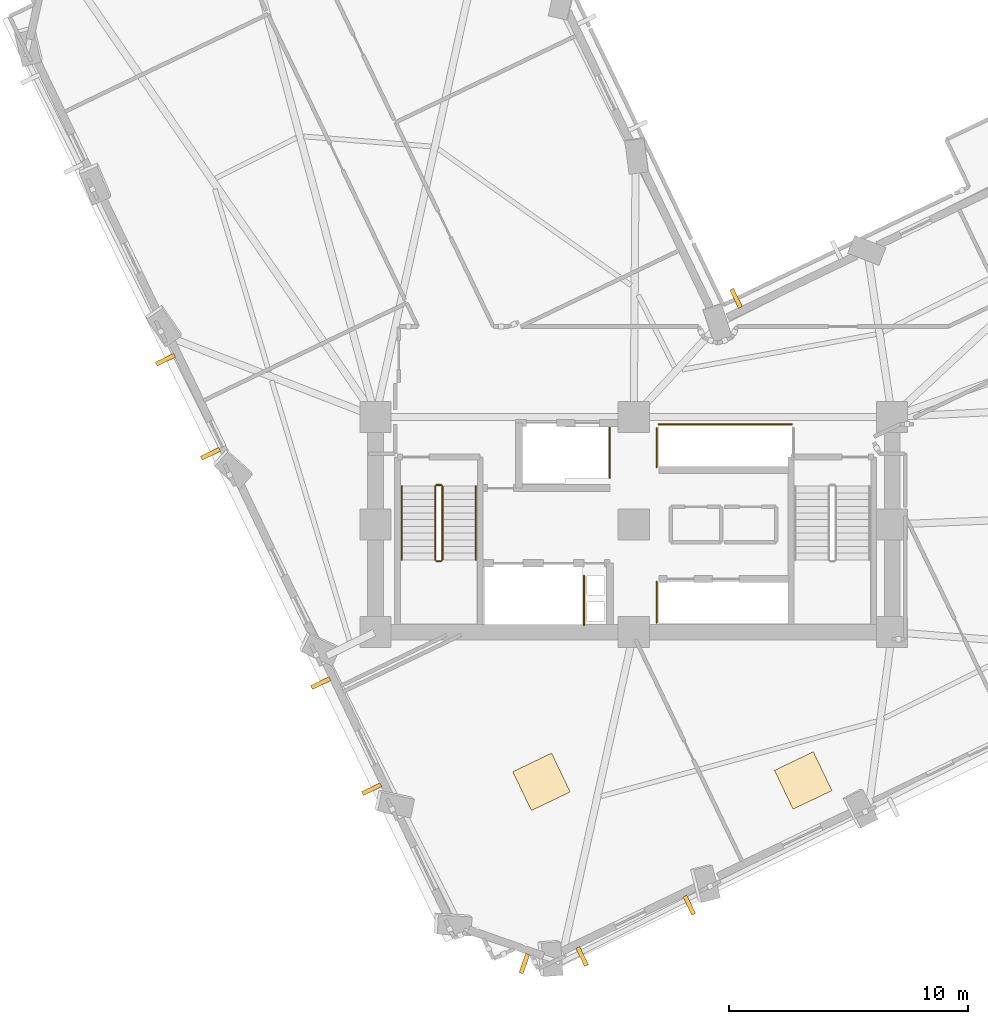
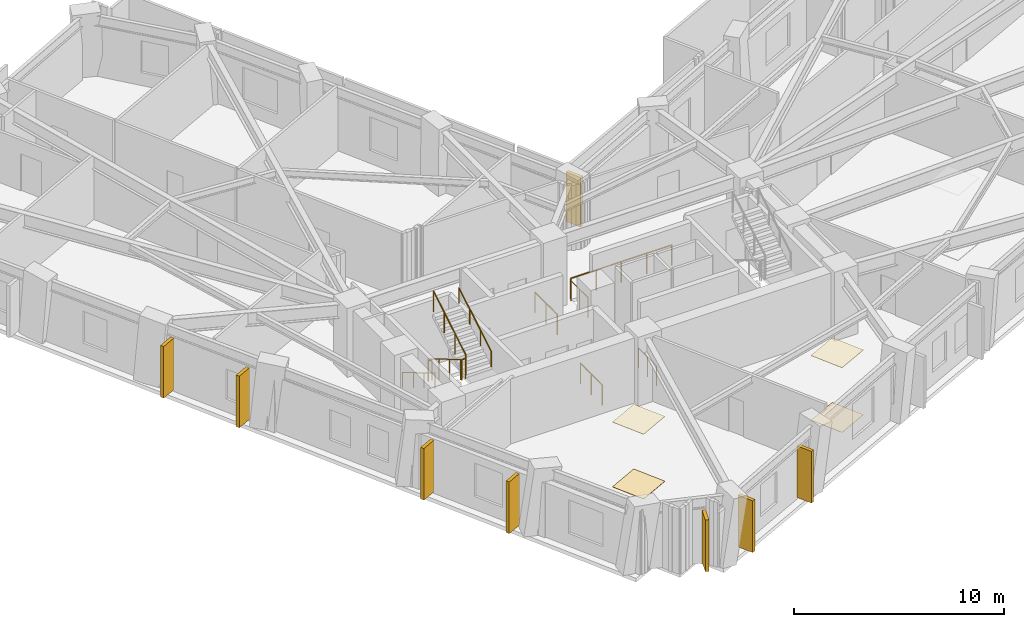
# One storey, part 12 of 16: 11 railings, 8 shading devices, 4 coverings.
"""IFC4 building model written with IfcOpenShell, lengths in metres."""

from ifc_helpers import new_model, si_unit, direction, frame, origin, origin_2d, place, context, subcontext, project, spatial, rectangle, circle, extrude, material, layer, layer_set, type_object, element, save


model = new_model("IFC4")

# Units and contexts
model_context = context("Model", 3, precision=1e-05, world=origin(), true_north=direction((0.0, 1.0)))
body_context = subcontext(model_context, "Body", "Model", "MODEL_VIEW")
ifc_project = project(units=[si_unit("LENGTHUNIT", "METRE"), si_unit("AREAUNIT", "SQUARE_METRE"), si_unit("VOLUMEUNIT", "CUBIC_METRE"), si_unit("PLANEANGLEUNIT", "RADIAN"), si_unit("MASSUNIT", "GRAM", prefix="KILO")], contexts=[model_context])

# Site, building, storey
site_placement = place(None, origin())
site = spatial("IfcSite", under=ifc_project, at=site_placement, CompositionType="ELEMENT")
building_placement = place(site_placement, origin())
building = spatial("IfcBuilding", under=site, at=building_placement, Name="Gaonmaruhae Medical Tower", CompositionType="ELEMENT")
storey_placement = place(building_placement, frame((0.0, 0.0, 132.39990234375)))
storey = spatial("IfcBuildingStorey", under=building, at=storey_placement, Name="L31", CompositionType="ELEMENT", Elevation=132.39990234375)

# Coverings
ifc_material_1 = material(Name="Acoustic mineral ceiling tile", Category="finish")
ifc_layer_1 = layer(ifc_material_1, 0.02490234375)
ifc_layer_set_1 = layer_set([ifc_layer_1], Name="Acoustic mineral ceiling tile")
covering_type_1 = type_object("IfcCoveringType", Name="CLG-01 Antimicrobial Acoustic Mineral Ceiling", PredefinedType="CEILING", material=ifc_layer_set_1)
for number, where, z_axis, x_axis, name in (
    (1, (20.94189453125, 1.538330078125, 3.755126953125), (0.0, 0.0, 1.0), (0.901455117112, 0.43287258152, 0.0), "L31 Clinical Room Acoustic Ceiling 2"),
    (2, (31.88525390625, 1.596435546875, 3.755126953125), (0.0, 0.0, 1.0), (0.901455117112, 0.43287258152, 0.0), "L31 Clinical Room Acoustic Ceiling 3"),
):
    element("IfcCovering", number, at=place(storey_placement, frame(where, z_axis=z_axis, x_axis=x_axis)), inside=storey, type_object=covering_type_1, Name=name, PredefinedType="CEILING", context=body_context, shape_type="SweptSolid", body=[
        extrude(rectangle(XDim=1.800048828125, YDim=1.800048828125, at=origin_2d()), origin(), (0.0, 0.0, 1.0), 0.02490234375),
    ])
ifc_material_2 = material(Name="Seamless clinical vinyl flooring", Category="finish")
ifc_layer_2 = layer(ifc_material_2, 0.014892578125)
ifc_layer_set_2 = layer_set([ifc_layer_2], Name="Seamless clinical vinyl flooring")
covering_type_2 = type_object("IfcCoveringType", Name="FLR-01 Seamless Clinical Antistatic Vinyl Flooring", PredefinedType="FLOORING", material=ifc_layer_set_2)
for number, where, z_axis, x_axis, name in (
    (3, (20.94189453125, 1.538330078125, 0.0), (0.0, 0.0, 1.0), (0.901455117112, 0.43287258152, 0.0), "L31 Clinical Room Vinyl Flooring 2"),
    (4, (31.88525390625, 1.596435546875, 0.0), (0.0, 0.0, 1.0), (0.901455117112, 0.43287258152, 0.0), "L31 Clinical Room Vinyl Flooring 3"),
):
    element("IfcCovering", number, at=place(storey_placement, frame(where, z_axis=z_axis, x_axis=x_axis)), inside=storey, type_object=covering_type_2, Name=name, PredefinedType="FLOORING", context=body_context, shape_type="SweptSolid", body=[
        extrude(rectangle(XDim=1.800048828125, YDim=1.800048828125, at=origin_2d()), origin(), (0.0, 0.0, 1.0), 0.014892578125),
    ])

# Railings
ifc_material_3 = material(Name="Stainless steel 304 handrail", Category="steel")
railing_type_1 = type_object("IfcRailingType", Name="HR-092 Continuous Stainless Steel Stair Handrail", PredefinedType="HANDRAIL", material=ifc_material_3)
railing_1_placement = place(storey_placement, frame((15.10009765625, 13.89990234375, 0.166748046875)))
element("IfcRailing", 5, at=railing_1_placement, inside=storey, type_object=railing_type_1, Name="L31 ST-01 stair handrail 1", PredefinedType="HANDRAIL", context=body_context, shape_type="SweptSolid", body=[
    extrude(circle(Radius=0.02392578125, at=origin_2d()), frame((0.0, 0.0, 0.8759765625), z_axis=(0.0, -0.859290745958, 0.51148745235), x_axis=(1.0, 0.0, 0.0)), (0.0, 0.0, 1.0), 3.584228515625),
    extrude(circle(Radius=0.02099609375, at=origin_2d()), origin(), (0.0, 0.0, 1.0), 0.851806640625),
    extrude(circle(Radius=0.02099609375, at=origin_2d()), frame((0.0, -1.026611328125, 0.611083984375)), (0.0, 0.0, 1.0), 0.851806640625),
    extrude(circle(Radius=0.02099609375, at=origin_2d()), frame((0.0, -2.05322265625, 1.22216796875)), (0.0, 0.0, 1.0), 0.851806640625),
    extrude(circle(Radius=0.02099609375, at=origin_2d()), frame((0.0, -3.079833984375, 1.833251953125)), (0.0, 0.0, 1.0), 0.851806640625),
])
railing_2_placement = place(storey_placement, frame((18.199951171875, 10.820068359375, 2.166748046875)))
element("IfcRailing", 6, at=railing_2_placement, inside=storey, type_object=railing_type_1, Name="L31 ST-01 stair handrail 2", PredefinedType="HANDRAIL", context=body_context, shape_type="SweptSolid", body=[
    extrude(circle(Radius=0.02392578125, at=origin_2d()), frame((0.0, 0.0, 0.8759765625), z_axis=(0.0, 0.859290745958, 0.51148745235), x_axis=(-1.0, 0.0, 0.0)), (0.0, 0.0, 1.0), 3.584228515625),
    extrude(circle(Radius=0.02099609375, at=origin_2d()), origin(), (0.0, 0.0, 1.0), 0.851806640625),
    extrude(circle(Radius=0.02099609375, at=origin_2d()), frame((0.0, 1.026611328125, 0.611083984375)), (0.0, 0.0, 1.0), 0.851806640625),
    extrude(circle(Radius=0.02099609375, at=origin_2d()), frame((0.0, 2.05322265625, 1.22216796875)), (0.0, 0.0, 1.0), 0.851806640625),
    extrude(circle(Radius=0.02099609375, at=origin_2d()), frame((0.0, 3.079833984375, 1.833251953125)), (0.0, 0.0, 1.0), 0.851806640625),
])

# Shading devices
ifc_material_4 = material(Name="Pigmented coral precast concrete C45/55", Category="concrete")
shading_device_type = type_object("IfcShadingDeviceType", Name="SD-FIN1 Tower Vertical Coral Precast Shading Fin", PredefinedType="USERDEFINED", material=ifc_material_4)
for number, where, z_axis, x_axis, name in (
    (7, (27.12353515625, -3.619140625, 0.08251953125), (0.0, 0.0, 1.0), (-0.901455117112, -0.43287258152, 0.0), "L31 Vertical Coral Precast Shading Fin S01"),
    (8, (22.643310546875, -5.7705078125, 0.08251953125), (0.0, 0.0, 1.0), (-0.901455117112, -0.43287258152, 0.0), "L31 Vertical Coral Precast Shading Fin S01B"),
):
    element("IfcShadingDevice", number, at=place(storey_placement, frame(where, z_axis=z_axis, x_axis=x_axis)), inside=storey, type_object=shading_device_type, Name=name, ObjectType="FIN", PredefinedType="USERDEFINED", context=body_context, shape_type="SweptSolid", body=[
        extrude(rectangle(XDim=0.179931640625, YDim=0.85009765625, at=origin_2d()), origin(), (0.0, 0.0, 1.0), 3.0),
    ])
shading_device_placement = place(storey_placement, frame((29.076416015625, 21.757080078125, 0.0400390625), z_axis=(0.0, 0.0, 1.0), x_axis=(0.901455117112, 0.43287258152, 0.0)))
element("IfcShadingDevice", 9, at=shading_device_placement, inside=storey, type_object=shading_device_type, Name="L31 Vertical Coral Precast Shading Fin EN03", ObjectType="FIN", PredefinedType="USERDEFINED", context=body_context, shape_type="SweptSolid", body=[
    extrude(rectangle(XDim=0.179931640625, YDim=0.85009765625, at=origin_2d()), origin(), (0.0, 0.0, 1.0), 2.885009765625),
])
for number, where, z_axis, x_axis, name in (
    (10, (7.10400390625, 15.2587890625, 0.08251953125), (0.0, 0.0, 1.0), (-0.43287258152, 0.901455117112, 0.0), "L31 Vertical Coral Precast Shading Fin W03"),
    (11, (5.2158203125, 19.191162109375, 0.08251953125), (0.0, 0.0, 1.0), (-0.43287258152, 0.901455117112, 0.0), "L31 Vertical Coral Precast Shading Fin W03B"),
    (12, (13.840576171875, 1.230224609375, 0.08251953125), (0.0, 0.0, 1.0), (-0.43287258152, 0.901455117112, 0.0), "L31 Vertical Coral Precast Shading Fin W05"),
    (13, (11.709228515625, 5.66845703125, 0.08251953125), (0.0, 0.0, 1.0), (-0.43287258152, 0.901455117112, 0.0), "L31 Vertical Coral Precast Shading Fin W05B"),
    (14, (20.225341796875, -6.0634765625, 0.08251953125), (0.0, 0.0, 1.0), (-0.943506380947, 0.331354355806, 0.0), "L31 Vertical Coral Precast Shading Fin W07"),
):
    element("IfcShadingDevice", number, at=place(storey_placement, frame(where, z_axis=z_axis, x_axis=x_axis)), inside=storey, type_object=shading_device_type, Name=name, ObjectType="FIN", PredefinedType="USERDEFINED", context=body_context, shape_type="SweptSolid", body=[
        extrude(rectangle(XDim=0.179931640625, YDim=0.85009765625, at=origin_2d()), origin(), (0.0, 0.0, 1.0), 3.0),
    ])

# Railings
ifc_material_5 = material(Name="Stainless steel 304 balustrade", Category="steel")
railing_type_2 = type_object("IfcRailingType", Name="SG-112 Stair Well & Ramp Void Safety Balustrade", PredefinedType="BALUSTRADE", material=ifc_material_5)
railing_3_placement = place(storey_placement, frame((16.5, 13.89990234375, 0.166748046875)))
element("IfcRailing", 15, at=railing_3_placement, inside=storey, type_object=railing_type_2, Name="L31 ST-01 stair guard 1", PredefinedType="BALUSTRADE", context=body_context, shape_type="SweptSolid", body=[
    extrude(circle(Radius=0.02392578125, at=origin_2d()), frame((0.0, 0.0, 1.17578125), z_axis=(0.0, -0.859290745958, 0.51148745235), x_axis=(1.0, 0.0, 0.0)), (0.0, 0.0, 1.0), 3.584228515625),
    extrude(circle(Radius=0.02099609375, at=origin_2d()), origin(), (0.0, 0.0, 1.0), 1.15185546875),
    extrude(circle(Radius=0.02099609375, at=origin_2d()), frame((0.0, -1.026611328125, 0.611083984375)), (0.0, 0.0, 1.0), 1.15185546875),
    extrude(circle(Radius=0.02099609375, at=origin_2d()), frame((0.0, -2.05322265625, 1.22216796875)), (0.0, 0.0, 1.0), 1.15185546875),
    extrude(circle(Radius=0.02099609375, at=origin_2d()), frame((0.0, -3.079833984375, 1.833251953125)), (0.0, 0.0, 1.0), 1.15185546875),
])
railing_4_placement = place(storey_placement, frame((16.550048828125, 10.77001953125, 2.0)))
element("IfcRailing", 16, at=railing_4_placement, inside=storey, type_object=railing_type_2, Name="L31 ST-01 stair guard 2", PredefinedType="BALUSTRADE", context=body_context, shape_type="SweptSolid", body=[
    extrude(circle(Radius=0.02392578125, at=origin_2d()), frame((0.0, 0.0, 1.17578125), z_axis=(1.0, 0.0, 0.0), x_axis=(0.0, 1.0, 0.0)), (0.0, 0.0, 1.0), 0.199951171875),
    extrude(circle(Radius=0.02099609375, at=origin_2d()), origin(), (0.0, 0.0, 1.0), 1.15185546875),
    extrude(circle(Radius=0.02099609375, at=origin_2d()), frame((0.199951171875, 0.0, 0.0)), (0.0, 0.0, 1.0), 1.15185546875),
])
railing_5_placement = place(storey_placement, frame((16.800048828125, 10.820068359375, 2.166748046875)))
element("IfcRailing", 17, at=railing_5_placement, inside=storey, type_object=railing_type_2, Name="L31 ST-01 stair guard 3", PredefinedType="BALUSTRADE", context=body_context, shape_type="SweptSolid", body=[
    extrude(circle(Radius=0.02392578125, at=origin_2d()), frame((0.0, 0.0, 1.17578125), z_axis=(0.0, 0.859290745958, 0.51148745235), x_axis=(-1.0, 0.0, 0.0)), (0.0, 0.0, 1.0), 3.584228515625),
    extrude(circle(Radius=0.02099609375, at=origin_2d()), origin(), (0.0, 0.0, 1.0), 1.15185546875),
    extrude(circle(Radius=0.02099609375, at=origin_2d()), frame((0.0, 1.026611328125, 0.611083984375)), (0.0, 0.0, 1.0), 1.15185546875),
    extrude(circle(Radius=0.02099609375, at=origin_2d()), frame((0.0, 2.05322265625, 1.22216796875)), (0.0, 0.0, 1.0), 1.15185546875),
    extrude(circle(Radius=0.02099609375, at=origin_2d()), frame((0.0, 3.079833984375, 1.833251953125)), (0.0, 0.0, 1.0), 1.15185546875),
])
railing_6_placement = place(storey_placement, frame((16.550048828125, 13.949951171875, 0.0)))
element("IfcRailing", 18, at=railing_6_placement, inside=storey, type_object=railing_type_2, Name="L31 ST-01 stair guard 4", PredefinedType="BALUSTRADE", context=body_context, shape_type="SweptSolid", body=[
    extrude(circle(Radius=0.02392578125, at=origin_2d()), frame((0.0, 0.0, 1.17578125), z_axis=(1.0, 0.0, 0.0), x_axis=(0.0, 1.0, 0.0)), (0.0, 0.0, 1.0), 0.199951171875),
    extrude(circle(Radius=0.02099609375, at=origin_2d()), origin(), (0.0, 0.0, 1.0), 1.15185546875),
    extrude(circle(Radius=0.02099609375, at=origin_2d()), frame((0.199951171875, 0.0, 0.0)), (0.0, 0.0, 1.0), 1.15185546875),
])
railing_7_placement = place(storey_placement, frame((25.7548828125, 8.195068359375, 0.0)))
element("IfcRailing", 19, at=railing_7_placement, inside=storey, type_object=railing_type_2, Name="L31 Shaft Edge Safety Guard 04", PredefinedType="BALUSTRADE", context=body_context, shape_type="SweptSolid", body=[
    extrude(circle(Radius=0.02392578125, at=origin_2d()), frame((0.0, 0.0, 1.17578125), z_axis=(0.0, 1.0, 0.0), x_axis=(-1.0, 0.0, 0.0)), (0.0, 0.0, 1.0), 1.7099609375),
    extrude(circle(Radius=0.02099609375, at=origin_2d()), origin(), (0.0, 0.0, 1.0), 1.15185546875),
    extrude(circle(Radius=0.02099609375, at=origin_2d()), frame((0.0, 0.85498046875, 0.0)), (0.0, 0.0, 1.0), 1.15185546875),
    extrude(circle(Radius=0.02099609375, at=origin_2d()), frame((0.0, 1.7099609375, 0.0)), (0.0, 0.0, 1.0), 1.15185546875),
])
railing_8_placement = place(storey_placement, frame((22.719970703125, 10.159912109375, 0.0)))
element("IfcRailing", 20, at=railing_8_placement, inside=storey, type_object=railing_type_2, Name="L31 Shaft Edge Safety Guard 05", PredefinedType="BALUSTRADE", context=body_context, shape_type="SweptSolid", body=[
    extrude(circle(Radius=0.02392578125, at=origin_2d()), frame((0.0, 0.0, 1.17578125), z_axis=(0.0, -1.0, 0.0), x_axis=(1.0, 0.0, 0.0)), (0.0, 0.0, 1.0), 2.06494140625),
    extrude(circle(Radius=0.02099609375, at=origin_2d()), origin(), (0.0, 0.0, 1.0), 1.15185546875),
    extrude(circle(Radius=0.02099609375, at=origin_2d()), frame((0.0, -1.032470703125, 0.0)), (0.0, 0.0, 1.0), 1.15185546875),
    extrude(circle(Radius=0.02099609375, at=origin_2d()), frame((0.0, -2.06494140625, 0.0)), (0.0, 0.0, 1.0), 1.15185546875),
])
railing_9_placement = place(storey_placement, frame((23.794921875, 16.35498046875, 0.0)))
element("IfcRailing", 21, at=railing_9_placement, inside=storey, type_object=railing_type_2, Name="L31 Shaft Edge Safety Guard 06", PredefinedType="BALUSTRADE", context=body_context, shape_type="SweptSolid", body=[
    extrude(circle(Radius=0.02392578125, at=origin_2d()), frame((0.0, 0.0, 1.17578125), z_axis=(0.0, -1.0, 0.0), x_axis=(1.0, 0.0, 0.0)), (0.0, 0.0, 1.0), 2.10986328125),
    extrude(circle(Radius=0.02099609375, at=origin_2d()), origin(), (0.0, 0.0, 1.0), 1.15185546875),
    extrude(circle(Radius=0.02099609375, at=origin_2d()), frame((0.0, -1.054931640625, 0.0)), (0.0, 0.0, 1.0), 1.15185546875),
    extrude(circle(Radius=0.02099609375, at=origin_2d()), frame((0.0, -2.10986328125, 0.0)), (0.0, 0.0, 1.0), 1.15185546875),
])
railing_10_placement = place(storey_placement, frame((25.844970703125, 16.4951171875, 0.0)))
element("IfcRailing", 22, at=railing_10_placement, inside=storey, type_object=railing_type_2, Name="L31 Shaft Edge Safety Guard 07", PredefinedType="BALUSTRADE", context=body_context, shape_type="SweptSolid", body=[
    extrude(circle(Radius=0.02392578125, at=origin_2d()), frame((0.0, 0.0, 1.17578125), z_axis=(1.0, 0.0, 0.0), x_axis=(0.0, 1.0, 0.0)), (0.0, 0.0, 1.0), 5.56005859375),
    extrude(circle(Radius=0.02099609375, at=origin_2d()), origin(), (0.0, 0.0, 1.0), 1.15185546875),
    extrude(circle(Radius=0.02099609375, at=origin_2d()), frame((1.39013671875, 0.0, 0.0)), (0.0, 0.0, 1.0), 1.15185546875),
    extrude(circle(Radius=0.02099609375, at=origin_2d()), frame((2.780029296875, 0.0, 0.0)), (0.0, 0.0, 1.0), 1.15185546875),
    extrude(circle(Radius=0.02099609375, at=origin_2d()), frame((4.169921875, 0.0, 0.0)), (0.0, 0.0, 1.0), 1.15185546875),
    extrude(circle(Radius=0.02099609375, at=origin_2d()), frame((5.56005859375, 0.0, 0.0)), (0.0, 0.0, 1.0), 1.15185546875),
])
railing_11_placement = place(storey_placement, frame((25.7548828125, 14.695068359375, 0.0)))
element("IfcRailing", 23, at=railing_11_placement, inside=storey, type_object=railing_type_2, Name="L31 Shaft Edge Safety Guard 09", PredefinedType="BALUSTRADE", context=body_context, shape_type="SweptSolid", body=[
    extrude(circle(Radius=0.02392578125, at=origin_2d()), frame((0.0, 0.0, 1.17578125), z_axis=(0.0, 1.0, 0.0), x_axis=(-1.0, 0.0, 0.0)), (0.0, 0.0, 1.0), 1.635009765625),
    extrude(circle(Radius=0.02099609375, at=origin_2d()), origin(), (0.0, 0.0, 1.0), 1.15185546875),
    extrude(circle(Radius=0.02099609375, at=origin_2d()), frame((0.0, 0.8173828125, 0.0)), (0.0, 0.0, 1.0), 1.15185546875),
    extrude(circle(Radius=0.02099609375, at=origin_2d()), frame((0.0, 1.635009765625, 0.0)), (0.0, 0.0, 1.0), 1.15185546875),
])

save(model, "model.ifc")
